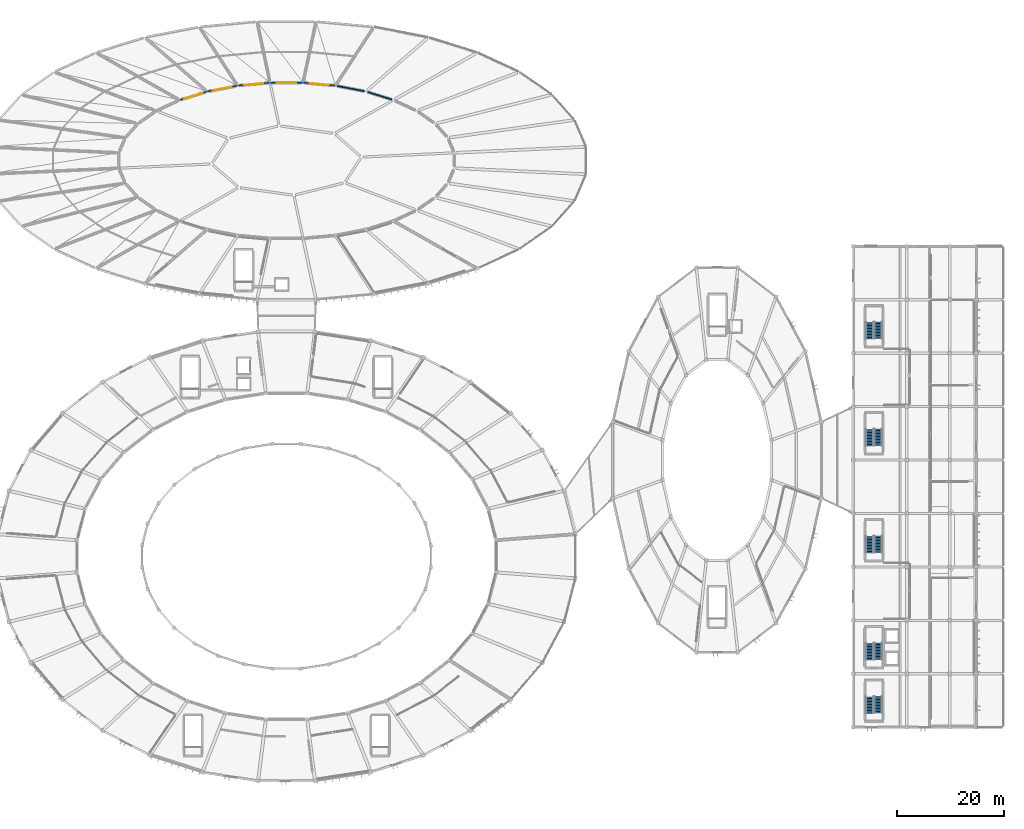
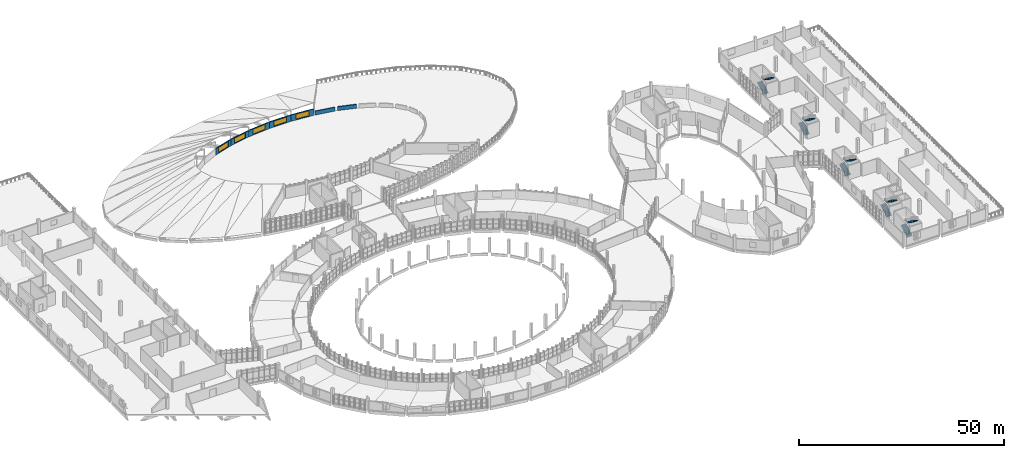
# One storey, part 107 of 142: 10 stair flights, 7 walls, 5 windows, 5 openings, 5 elements without a shape of their own.
"""IFC4 building model written with IfcOpenShell, lengths in metres."""

from ifc_helpers import new_model, si_unit, direction, frame, frame_2d, origin, place, context, subcontext, project, spatial, polyline, rectangle, outline, extrude, material, layer, layer_set, type_object, element, fill, aggregate, save


model = new_model("IFC4")

# Units and contexts
model_context = context("Model", 3, precision=1e-05, world=origin(), true_north=direction((0.0, 1.0)))
body_context = subcontext(model_context, "Body", "Model", "MODEL_VIEW")
ifc_project = project(units=[si_unit("LENGTHUNIT", "METRE"), si_unit("AREAUNIT", "SQUARE_METRE"), si_unit("VOLUMEUNIT", "CUBIC_METRE"), si_unit("PLANEANGLEUNIT", "RADIAN"), si_unit("MASSUNIT", "GRAM", prefix="KILO")], contexts=[model_context])

# Site, building, storey
site_placement = place(None, origin())
site = spatial("IfcSite", under=ifc_project, at=site_placement, CompositionType="ELEMENT")
building_placement = place(site_placement, origin())
building = spatial("IfcBuilding", under=site, at=building_placement, Name="Corvandel Quay Wholesale Market", CompositionType="ELEMENT")
storey_placement = place(building_placement, frame((0.0, 0.0, 10.800048828125)))
storey = spatial("IfcBuildingStorey", under=building, at=storey_placement, Name="L02", CompositionType="ELEMENT", Elevation=10.800048828125)

# Wall, opening, window
ifc_material_1 = material(Name="Terracotta precast concrete C45/55", Category="masonry")
ifc_layer_1 = layer(ifc_material_1, 0.260009765625)
ifc_layer_set_1 = layer_set([ifc_layer_1], Name="Terracotta precast concrete C45/55")
wall_type_1 = type_object("IfcWallType", Name="Pavilion Pilaster Infill Wall EW08 260", PredefinedType="SOLIDWALL", material=ifc_layer_set_1)
wall_1_placement = place(storey_placement, frame((123.14697265625, 130.0, 0.0), z_axis=(0.0, 0.0, 1.0), x_axis=(-0.995753558962, 0.092058947498, 0.0)))
wall_1 = element("IfcWall", 1, at=wall_1_placement, inside=storey, type_object=wall_type_1, Name="Exterior Wall EW-0103", PredefinedType="SOLIDWALL", context=body_context, shape_type="SweptSolid", body=[
    extrude(rectangle(XDim=6.083740234375, YDim=0.260009765625, at=frame_2d((3.0419921875, 0.0))), origin(), (0.0, 0.0, 1.0), 1.89990234375),
])
opening_1_placement = place(wall_1_placement, frame((1.241943359375, 0.0, 0.25)))
opening_1 = element("IfcOpeningElement", 2, at=opening_1_placement, cuts=wall_1, Name="Opening L02-W018", PredefinedType="OPENING", context=body_context, shape_type="SweptSolid", body=[
    extrude(rectangle(XDim=3.60009765625, YDim=1.5, at=frame_2d((1.800048828125, 0.75))), frame((0.0, 0.139892578125, 0.0), z_axis=(0.0, -1.0, 0.0), x_axis=(1.0, 0.0, 0.0)), (0.0, 0.0, 1.0), 0.280029296875),
])
ifc_material_2 = material(Name="Thermally broken bronze anodised aluminium and solar-control low-E double glazing", Category="aluminium")
window_type = type_object("IfcWindowType", Name="Sawtooth North-Light Clerestory SK01 3600x1500", PartitioningType="SINGLE_PANEL", PredefinedType="SKYLIGHT", material=ifc_material_2)
window_1_placement = place(opening_1_placement, origin())
window_1 = element("IfcWindow", 3, at=window_1_placement, inside=storey, type_object=window_type, Name="Window L02-W018", OverallHeight=1.5, OverallWidth=3.60009765625, PartitioningType="SINGLE_PANEL", PredefinedType="SKYLIGHT", context=body_context, shape_type="SweptSolid", body=[
    extrude(rectangle(XDim=3.60009765625, YDim=1.5, at=frame_2d((1.800048828125, 0.75))), frame((0.0, 0.030029296875, 0.0), z_axis=(0.0, -1.0, 0.0), x_axis=(1.0, 0.0, 0.0)), (0.0, 0.0, 1.0), 0.06005859375),
])
fill(opening_1, window_1)

wall_2_placement = place(storey_placement, frame((117.089111328125, 130.56005859375, 0.0), z_axis=(0.0, 0.0, 1.0), x_axis=(-1.0, 0.0, 0.0)))
wall_2 = element("IfcWall", 4, at=wall_2_placement, inside=storey, type_object=wall_type_1, Name="Exterior Wall EW-0105", PredefinedType="SOLIDWALL", context=body_context, shape_type="SweptSolid", body=[
    extrude(rectangle(XDim=6.17822265625, YDim=0.260009765625, at=frame_2d((3.089111328125, 0.0))), origin(), (0.0, 0.0, 1.0), 1.89990234375),
])
opening_2_placement = place(wall_2_placement, frame((1.2890625, 0.0, 0.25)))
opening_2 = element("IfcOpeningElement", 5, at=opening_2_placement, cuts=wall_2, Name="Opening L02-W019", PredefinedType="OPENING", context=body_context, shape_type="SweptSolid", body=[
    extrude(rectangle(XDim=3.60009765625, YDim=1.5, at=frame_2d((1.800048828125, 0.75))), frame((0.0, 0.139892578125, 0.0), z_axis=(0.0, -1.0, 0.0), x_axis=(1.0, 0.0, 0.0)), (0.0, 0.0, 1.0), 0.280029296875),
])
window_2_placement = place(opening_2_placement, origin())
window_2 = element("IfcWindow", 6, at=window_2_placement, inside=storey, type_object=window_type, Name="Window L02-W019", OverallHeight=1.5, OverallWidth=3.60009765625, PartitioningType="SINGLE_PANEL", PredefinedType="SKYLIGHT", context=body_context, shape_type="SweptSolid", body=[
    extrude(rectangle(XDim=3.60009765625, YDim=1.5, at=frame_2d((1.800048828125, 0.75))), frame((0.0, 0.030029296875, 0.0), z_axis=(0.0, -1.0, 0.0), x_axis=(1.0, 0.0, 0.0)), (0.0, 0.0, 1.0), 0.06005859375),
])
fill(opening_2, window_2)

wall_3_placement = place(storey_placement, frame((110.910888671875, 130.56005859375, 0.0), z_axis=(0.0, 0.0, 1.0), x_axis=(-0.995753558962, -0.092058947498, 0.0)))
wall_3 = element("IfcWall", 7, at=wall_3_placement, inside=storey, type_object=wall_type_1, Name="Exterior Wall EW-0107", PredefinedType="SOLIDWALL", context=body_context, shape_type="SweptSolid", body=[
    extrude(rectangle(XDim=6.083740234375, YDim=0.260009765625, at=frame_2d((3.0419921875, 0.0))), origin(), (0.0, 0.0, 1.0), 1.89990234375),
])
opening_3_placement = place(wall_3_placement, frame((1.241943359375, 0.0, 0.25)))
opening_3 = element("IfcOpeningElement", 8, at=opening_3_placement, cuts=wall_3, Name="Opening L02-W020", PredefinedType="OPENING", context=body_context, shape_type="SweptSolid", body=[
    extrude(rectangle(XDim=3.60009765625, YDim=1.5, at=frame_2d((1.800048828125, 0.75))), frame((0.0, 0.139892578125, 0.0), z_axis=(0.0, -1.0, 0.0), x_axis=(1.0, 0.0, 0.0)), (0.0, 0.0, 1.0), 0.280029296875),
])
window_3_placement = place(opening_3_placement, origin())
window_3 = element("IfcWindow", 9, at=window_3_placement, inside=storey, type_object=window_type, Name="Window L02-W020", OverallHeight=1.5, OverallWidth=3.60009765625, PartitioningType="SINGLE_PANEL", PredefinedType="SKYLIGHT", context=body_context, shape_type="SweptSolid", body=[
    extrude(rectangle(XDim=3.60009765625, YDim=1.5, at=frame_2d((1.800048828125, 0.75))), frame((0.0, 0.030029296875, 0.0), z_axis=(0.0, -1.0, 0.0), x_axis=(1.0, 0.0, 0.0)), (0.0, 0.0, 1.0), 0.06005859375),
])
fill(opening_3, window_3)

wall_4_placement = place(storey_placement, frame((104.85302734375, 130.0, 0.0), z_axis=(0.0, 0.0, 1.0), x_axis=(-0.982031005355, -0.188719645298, 0.0)))
wall_4 = element("IfcWall", 10, at=wall_4_placement, inside=storey, type_object=wall_type_1, Name="Exterior Wall EW-0109", PredefinedType="SOLIDWALL", context=body_context, shape_type="SweptSolid", body=[
    extrude(rectangle(XDim=5.8125, YDim=0.260009765625, at=frame_2d((2.90625, 0.0))), origin(), (0.0, 0.0, 1.0), 1.89990234375),
])
opening_4_placement = place(wall_4_placement, frame((1.10595703125, 0.0, 0.25)))
opening_4 = element("IfcOpeningElement", 11, at=opening_4_placement, cuts=wall_4, Name="Opening L02-W021", PredefinedType="OPENING", context=body_context, shape_type="SweptSolid", body=[
    extrude(rectangle(XDim=3.60009765625, YDim=1.5, at=frame_2d((1.800048828125, 0.75))), frame((0.0, 0.139892578125, 0.0), z_axis=(0.0, -1.0, 0.0), x_axis=(1.0, 0.0, 0.0)), (0.0, 0.0, 1.0), 0.280029296875),
])
window_4_placement = place(opening_4_placement, origin())
window_4 = element("IfcWindow", 12, at=window_4_placement, inside=storey, type_object=window_type, Name="Window L02-W021", OverallHeight=1.5, OverallWidth=3.60009765625, PartitioningType="SINGLE_PANEL", PredefinedType="SKYLIGHT", context=body_context, shape_type="SweptSolid", body=[
    extrude(rectangle(XDim=3.60009765625, YDim=1.5, at=frame_2d((1.800048828125, 0.75))), frame((0.0, 0.030029296875, 0.0), z_axis=(0.0, -1.0, 0.0), x_axis=(1.0, 0.0, 0.0)), (0.0, 0.0, 1.0), 0.06005859375),
])
fill(opening_4, window_4)

wall_5_placement = place(storey_placement, frame((99.14501953125, 128.903076171875, 0.0), z_axis=(0.0, 0.0, 1.0), x_axis=(-0.955060591478, -0.296410638483, 0.0)))
wall_5 = element("IfcWall", 13, at=wall_5_placement, inside=storey, type_object=wall_type_1, Name="Exterior Wall EW-0112", PredefinedType="SOLIDWALL", context=body_context, shape_type="SweptSolid", body=[
    extrude(rectangle(XDim=5.377685546875, YDim=0.260009765625, at=frame_2d((2.68896484375, 0.0))), origin(), (0.0, 0.0, 1.0), 1.89990234375),
])
opening_5_placement = place(wall_5_placement, frame((0.888916015625, 0.0, 0.25)))
opening_5 = element("IfcOpeningElement", 14, at=opening_5_placement, cuts=wall_5, Name="Opening L02-W022", PredefinedType="OPENING", context=body_context, shape_type="SweptSolid", body=[
    extrude(rectangle(XDim=3.60009765625, YDim=1.5, at=frame_2d((1.800048828125, 0.75))), frame((0.0, 0.139892578125, 0.0), z_axis=(0.0, -1.0, 0.0), x_axis=(1.0, 0.0, 0.0)), (0.0, 0.0, 1.0), 0.280029296875),
])
window_5_placement = place(opening_5_placement, origin())
window_5 = element("IfcWindow", 15, at=window_5_placement, inside=storey, type_object=window_type, Name="Window L02-W022", OverallHeight=1.5, OverallWidth=3.60009765625, PartitioningType="SINGLE_PANEL", PredefinedType="SKYLIGHT", context=body_context, shape_type="SweptSolid", body=[
    extrude(rectangle(XDim=3.60009765625, YDim=1.5, at=frame_2d((1.800048828125, 0.75))), frame((0.0, 0.030029296875, 0.0), z_axis=(0.0, -1.0, 0.0), x_axis=(1.0, 0.0, 0.0)), (0.0, 0.0, 1.0), 0.06005859375),
])
fill(opening_5, window_5)

# Walls
ifc_material_3 = material(Name="Buff-pigmented precast concrete C45/55", Category="concrete")
ifc_layer_2 = layer(ifc_material_3, 0.219970703125)
ifc_layer_set_2 = layer_set([ifc_layer_2], Name="Buff-pigmented precast concrete C45/55")
wall_type_2 = type_object("IfcWallType", Name="Terrace Edge Parapet Wall PP02 220", PredefinedType="PARAPET", material=ifc_layer_set_2)
wall_6_placement = place(storey_placement, frame((133.65673828125, 127.41259765625, 0.0), z_axis=(0.0, 0.0, 1.0), x_axis=(-0.955049361286, 0.296446820706, 0.0)))
element("IfcWall", 16, at=wall_6_placement, inside=storey, type_object=wall_type_2, Name="Exterior Wall EW-0099", PredefinedType="PARAPET", context=body_context, shape_type="SweptSolid", body=[
    extrude(rectangle(XDim=4.677734375, YDim=0.219970703125, at=frame_2d((2.3388671875, 0.0))), origin(), (0.0, 0.0, 1.0), 1.14990234375),
])
wall_7_placement = place(storey_placement, frame((128.51123046875, 128.968994140625, 0.0), z_axis=(0.0, 0.0, 1.0), x_axis=(-0.982029601692, 0.188726949323, 0.0)))
element("IfcWall", 17, at=wall_7_placement, inside=storey, type_object=wall_type_2, Name="Exterior Wall EW-0101", PredefinedType="PARAPET", context=body_context, shape_type="SweptSolid", body=[
    extrude(rectangle(XDim=5.1123046875, YDim=0.219970703125, at=frame_2d((2.55615234375, 0.0))), origin(), (0.0, 0.0, 1.0), 1.14990234375),
])

# Stair, stair flights
ifc_material_4 = material(Name="Concrete C40/50", Category="concrete")
stair_type = type_object("IfcStairType", Name="Exit Stair Two-Return L02-L03 ST03", PredefinedType="USERDEFINED", material=ifc_material_4)
stair_1_placement = place(storey_placement, origin())
stair_1 = element("IfcStair", 18, at=stair_1_placement, inside=storey, type_object=stair_type, Name="Exit Stair STR-028", ObjectType="TWO_RETURN_STAIR", PredefinedType="USERDEFINED")
ifc_layer_3 = layer(ifc_material_4, 0.199951171875)
ifc_layer_set_3 = layer_set([ifc_layer_3], Name="Concrete C40/50")
stair_flight_type = type_object("IfcStairFlightType", Name="Precast Stair Flight FL03 W1480", PredefinedType="STRAIGHT", material=ifc_layer_set_3)
stair_flight_1_placement = place(storey_placement, frame((223.050048828125, 22.64990234375, 0.0), z_axis=(0.0, 0.0, 1.0), x_axis=(0.0, 1.0, 0.0)))
stair_flight_1 = element("IfcStairFlight", 19, at=stair_flight_1_placement, type_object=stair_flight_type, Name="Stair Flight STR-028-F1", NumberOfRisers=12, NumberOfTreads=11, PredefinedType="STRAIGHT", RiserHeight=0.175, TreadLength=0.28, context=body_context, shape_type="SweptSolid", body=[
    extrude(outline(polyline([(0.0, 0.0), (0.0, 0.175048828125), (0.280029296875, 0.175048828125), (0.280029296875, 0.35009765625), (0.56005859375, 0.35009765625), (0.56005859375, 0.52490234375), (0.840087890625, 0.52490234375), (0.840087890625, 0.699951171875), (1.1201171875, 0.699951171875), (1.1201171875, 0.875), (1.39990234375, 0.875), (1.39990234375, 1.050048828125), (1.679931640625, 1.050048828125), (1.679931640625, 1.22509765625), (1.9599609375, 1.22509765625), (1.9599609375, 1.39990234375), (2.239990234375, 1.39990234375), (2.239990234375, 1.574951171875), (2.52001953125, 1.574951171875), (2.52001953125, 1.75), (2.800048828125, 1.75), (2.800048828125, 1.925048828125), (3.080078125, 1.925048828125), (3.080078125, 2.10009765625), (3.080078125, 1.748291015625), (0.28271484375, 0.0), (0.0, 0.0)])), frame((0.0, 0.739990234375, 0.0), z_axis=(0.0, -1.0, 0.0), x_axis=(1.0, 0.0, 0.0)), (0.0, 0.0, 1.0), 1.47998046875),
])
stair_flight_2_placement = place(storey_placement, frame((224.64990234375, 25.800048828125, 2.099853515625), z_axis=(0.0, 0.0, 1.0), x_axis=(0.0, -1.0, 0.0)))
stair_flight_2 = element("IfcStairFlight", 20, at=stair_flight_2_placement, type_object=stair_flight_type, Name="Stair Flight STR-028-F2", NumberOfRisers=12, NumberOfTreads=11, PredefinedType="STRAIGHT", RiserHeight=0.175, TreadLength=0.28, context=body_context, shape_type="SweptSolid", body=[
    extrude(outline(polyline([(0.0, 0.0), (0.0, 0.175048828125), (0.280029296875, 0.175048828125), (0.280029296875, 0.35009765625), (0.56005859375, 0.35009765625), (0.56005859375, 0.52490234375), (0.840087890625, 0.52490234375), (0.840087890625, 0.699951171875), (1.1201171875, 0.699951171875), (1.1201171875, 0.875), (1.39990234375, 0.875), (1.39990234375, 1.050048828125), (1.679931640625, 1.050048828125), (1.679931640625, 1.22509765625), (1.9599609375, 1.22509765625), (1.9599609375, 1.39990234375), (2.239990234375, 1.39990234375), (2.239990234375, 1.574951171875), (2.52001953125, 1.574951171875), (2.52001953125, 1.75), (2.800048828125, 1.75), (2.800048828125, 1.925048828125), (3.080078125, 1.925048828125), (3.080078125, 2.10009765625), (3.080078125, 1.748291015625), (0.28271484375, 0.0), (0.0, 0.0)])), frame((0.0, 0.739990234375, 0.0), z_axis=(0.0, -1.0, 0.0), x_axis=(1.0, 0.0, 0.0)), (0.0, 0.0, 1.0), 1.47998046875),
])
aggregate(stair_1, [stair_flight_1, stair_flight_2])

stair_2_placement = place(storey_placement, origin())
stair_2 = element("IfcStair", 21, at=stair_2_placement, inside=storey, type_object=stair_type, Name="Exit Stair STR-031", ObjectType="TWO_RETURN_STAIR", PredefinedType="USERDEFINED")
stair_flight_3_placement = place(storey_placement, frame((223.050048828125, 42.64990234375, 0.0), z_axis=(0.0, 0.0, 1.0), x_axis=(0.0, 1.0, 0.0)))
stair_flight_3 = element("IfcStairFlight", 22, at=stair_flight_3_placement, type_object=stair_flight_type, Name="Stair Flight STR-031-F1", NumberOfRisers=12, NumberOfTreads=11, PredefinedType="STRAIGHT", RiserHeight=0.175, TreadLength=0.28, context=body_context, shape_type="SweptSolid", body=[
    extrude(outline(polyline([(0.0, 0.0), (0.0, 0.175048828125), (0.280029296875, 0.175048828125), (0.280029296875, 0.35009765625), (0.56005859375, 0.35009765625), (0.56005859375, 0.52490234375), (0.840087890625, 0.52490234375), (0.840087890625, 0.699951171875), (1.1201171875, 0.699951171875), (1.1201171875, 0.875), (1.39990234375, 0.875), (1.39990234375, 1.050048828125), (1.679931640625, 1.050048828125), (1.679931640625, 1.22509765625), (1.9599609375, 1.22509765625), (1.9599609375, 1.39990234375), (2.239990234375, 1.39990234375), (2.239990234375, 1.574951171875), (2.52001953125, 1.574951171875), (2.52001953125, 1.75), (2.800048828125, 1.75), (2.800048828125, 1.925048828125), (3.080078125, 1.925048828125), (3.080078125, 2.10009765625), (3.080078125, 1.748291015625), (0.28271484375, 0.0), (0.0, 0.0)])), frame((0.0, 0.739990234375, 0.0), z_axis=(0.0, -1.0, 0.0), x_axis=(1.0, 0.0, 0.0)), (0.0, 0.0, 1.0), 1.47998046875),
])
stair_flight_4_placement = place(storey_placement, frame((224.64990234375, 45.800048828125, 2.099853515625), z_axis=(0.0, 0.0, 1.0), x_axis=(0.0, -1.0, 0.0)))
stair_flight_4 = element("IfcStairFlight", 23, at=stair_flight_4_placement, type_object=stair_flight_type, Name="Stair Flight STR-031-F2", NumberOfRisers=12, NumberOfTreads=11, PredefinedType="STRAIGHT", RiserHeight=0.175, TreadLength=0.28, context=body_context, shape_type="SweptSolid", body=[
    extrude(outline(polyline([(0.0, 0.0), (0.0, 0.175048828125), (0.280029296875, 0.175048828125), (0.280029296875, 0.35009765625), (0.56005859375, 0.35009765625), (0.56005859375, 0.52490234375), (0.840087890625, 0.52490234375), (0.840087890625, 0.699951171875), (1.1201171875, 0.699951171875), (1.1201171875, 0.875), (1.39990234375, 0.875), (1.39990234375, 1.050048828125), (1.679931640625, 1.050048828125), (1.679931640625, 1.22509765625), (1.9599609375, 1.22509765625), (1.9599609375, 1.39990234375), (2.239990234375, 1.39990234375), (2.239990234375, 1.574951171875), (2.52001953125, 1.574951171875), (2.52001953125, 1.75), (2.800048828125, 1.75), (2.800048828125, 1.925048828125), (3.080078125, 1.925048828125), (3.080078125, 2.10009765625), (3.080078125, 1.748291015625), (0.28271484375, 0.0), (0.0, 0.0)])), frame((0.0, 0.739990234375, 0.0), z_axis=(0.0, -1.0, 0.0), x_axis=(1.0, 0.0, 0.0)), (0.0, 0.0, 1.0), 1.47998046875),
])
aggregate(stair_2, [stair_flight_3, stair_flight_4])

stair_3_placement = place(storey_placement, origin())
stair_3 = element("IfcStair", 24, at=stair_3_placement, inside=storey, type_object=stair_type, Name="Exit Stair STR-034", ObjectType="TWO_RETURN_STAIR", PredefinedType="USERDEFINED")
stair_flight_5_placement = place(storey_placement, frame((223.050048828125, 62.64990234375, 0.0), z_axis=(0.0, 0.0, 1.0), x_axis=(0.0, 1.0, 0.0)))
stair_flight_5 = element("IfcStairFlight", 25, at=stair_flight_5_placement, type_object=stair_flight_type, Name="Stair Flight STR-034-F1", NumberOfRisers=12, NumberOfTreads=11, PredefinedType="STRAIGHT", RiserHeight=0.175, TreadLength=0.28, context=body_context, shape_type="SweptSolid", body=[
    extrude(outline(polyline([(0.0, 0.0), (0.0, 0.175048828125), (0.280029296875, 0.175048828125), (0.280029296875, 0.35009765625), (0.56005859375, 0.35009765625), (0.56005859375, 0.52490234375), (0.840087890625, 0.52490234375), (0.840087890625, 0.699951171875), (1.1201171875, 0.699951171875), (1.1201171875, 0.875), (1.39990234375, 0.875), (1.39990234375, 1.050048828125), (1.679931640625, 1.050048828125), (1.679931640625, 1.22509765625), (1.9599609375, 1.22509765625), (1.9599609375, 1.39990234375), (2.239990234375, 1.39990234375), (2.239990234375, 1.574951171875), (2.52001953125, 1.574951171875), (2.52001953125, 1.75), (2.800048828125, 1.75), (2.800048828125, 1.925048828125), (3.080078125, 1.925048828125), (3.080078125, 2.10009765625), (3.080078125, 1.748291015625), (0.28271484375, 0.0), (0.0, 0.0)])), frame((0.0, 0.739990234375, 0.0), z_axis=(0.0, -1.0, 0.0), x_axis=(1.0, 0.0, 0.0)), (0.0, 0.0, 1.0), 1.47998046875),
])
stair_flight_6_placement = place(storey_placement, frame((224.64990234375, 65.800048828125, 2.099853515625), z_axis=(0.0, 0.0, 1.0), x_axis=(0.0, -1.0, 0.0)))
stair_flight_6 = element("IfcStairFlight", 26, at=stair_flight_6_placement, type_object=stair_flight_type, Name="Stair Flight STR-034-F2", NumberOfRisers=12, NumberOfTreads=11, PredefinedType="STRAIGHT", RiserHeight=0.175, TreadLength=0.28, context=body_context, shape_type="SweptSolid", body=[
    extrude(outline(polyline([(0.0, 0.0), (0.0, 0.175048828125), (0.280029296875, 0.175048828125), (0.280029296875, 0.35009765625), (0.56005859375, 0.35009765625), (0.56005859375, 0.52490234375), (0.840087890625, 0.52490234375), (0.840087890625, 0.699951171875), (1.1201171875, 0.699951171875), (1.1201171875, 0.875), (1.39990234375, 0.875), (1.39990234375, 1.050048828125), (1.679931640625, 1.050048828125), (1.679931640625, 1.22509765625), (1.9599609375, 1.22509765625), (1.9599609375, 1.39990234375), (2.239990234375, 1.39990234375), (2.239990234375, 1.574951171875), (2.52001953125, 1.574951171875), (2.52001953125, 1.75), (2.800048828125, 1.75), (2.800048828125, 1.925048828125), (3.080078125, 1.925048828125), (3.080078125, 2.10009765625), (3.080078125, 1.748291015625), (0.28271484375, 0.0), (0.0, 0.0)])), frame((0.0, 0.739990234375, 0.0), z_axis=(0.0, -1.0, 0.0), x_axis=(1.0, 0.0, 0.0)), (0.0, 0.0, 1.0), 1.47998046875),
])
aggregate(stair_3, [stair_flight_5, stair_flight_6])

stair_4_placement = place(storey_placement, origin())
stair_4 = element("IfcStair", 27, at=stair_4_placement, inside=storey, type_object=stair_type, Name="Exit Stair STR-037", ObjectType="TWO_RETURN_STAIR", PredefinedType="USERDEFINED")
stair_flight_7_placement = place(storey_placement, frame((223.050048828125, 12.64990234375, 0.0), z_axis=(0.0, 0.0, 1.0), x_axis=(0.0, 1.0, 0.0)))
stair_flight_7 = element("IfcStairFlight", 28, at=stair_flight_7_placement, type_object=stair_flight_type, Name="Stair Flight STR-037-F1", NumberOfRisers=12, NumberOfTreads=11, PredefinedType="STRAIGHT", RiserHeight=0.175, TreadLength=0.28, context=body_context, shape_type="SweptSolid", body=[
    extrude(outline(polyline([(0.0, 0.0), (0.0, 0.175048828125), (0.280029296875, 0.175048828125), (0.280029296875, 0.35009765625), (0.56005859375, 0.35009765625), (0.56005859375, 0.52490234375), (0.840087890625, 0.52490234375), (0.840087890625, 0.699951171875), (1.1201171875, 0.699951171875), (1.1201171875, 0.875), (1.39990234375, 0.875), (1.39990234375, 1.050048828125), (1.679931640625, 1.050048828125), (1.679931640625, 1.22509765625), (1.9599609375, 1.22509765625), (1.9599609375, 1.39990234375), (2.239990234375, 1.39990234375), (2.239990234375, 1.574951171875), (2.52001953125, 1.574951171875), (2.52001953125, 1.75), (2.800048828125, 1.75), (2.800048828125, 1.925048828125), (3.080078125, 1.925048828125), (3.080078125, 2.10009765625), (3.080078125, 1.748291015625), (0.28271484375, 0.0), (0.0, 0.0)])), frame((0.0, 0.739990234375, 0.0), z_axis=(0.0, -1.0, 0.0), x_axis=(1.0, 0.0, 0.0)), (0.0, 0.0, 1.0), 1.47998046875),
])
stair_flight_8_placement = place(storey_placement, frame((224.64990234375, 15.800048828125, 2.099853515625), z_axis=(0.0, 0.0, 1.0), x_axis=(0.0, -1.0, 0.0)))
stair_flight_8 = element("IfcStairFlight", 29, at=stair_flight_8_placement, type_object=stair_flight_type, Name="Stair Flight STR-037-F2", NumberOfRisers=12, NumberOfTreads=11, PredefinedType="STRAIGHT", RiserHeight=0.175, TreadLength=0.28, context=body_context, shape_type="SweptSolid", body=[
    extrude(outline(polyline([(0.0, 0.0), (0.0, 0.175048828125), (0.280029296875, 0.175048828125), (0.280029296875, 0.35009765625), (0.56005859375, 0.35009765625), (0.56005859375, 0.52490234375), (0.840087890625, 0.52490234375), (0.840087890625, 0.699951171875), (1.1201171875, 0.699951171875), (1.1201171875, 0.875), (1.39990234375, 0.875), (1.39990234375, 1.050048828125), (1.679931640625, 1.050048828125), (1.679931640625, 1.22509765625), (1.9599609375, 1.22509765625), (1.9599609375, 1.39990234375), (2.239990234375, 1.39990234375), (2.239990234375, 1.574951171875), (2.52001953125, 1.574951171875), (2.52001953125, 1.75), (2.800048828125, 1.75), (2.800048828125, 1.925048828125), (3.080078125, 1.925048828125), (3.080078125, 2.10009765625), (3.080078125, 1.748291015625), (0.28271484375, 0.0), (0.0, 0.0)])), frame((0.0, 0.739990234375, 0.0), z_axis=(0.0, -1.0, 0.0), x_axis=(1.0, 0.0, 0.0)), (0.0, 0.0, 1.0), 1.47998046875),
])
aggregate(stair_4, [stair_flight_7, stair_flight_8])

stair_5_placement = place(storey_placement, origin())
stair_5 = element("IfcStair", 30, at=stair_5_placement, inside=storey, type_object=stair_type, Name="Exit Stair STR-040", ObjectType="TWO_RETURN_STAIR", PredefinedType="USERDEFINED")
stair_flight_9_placement = place(storey_placement, frame((223.050048828125, 82.64990234375, 0.0), z_axis=(0.0, 0.0, 1.0), x_axis=(0.0, 1.0, 0.0)))
stair_flight_9 = element("IfcStairFlight", 31, at=stair_flight_9_placement, type_object=stair_flight_type, Name="Stair Flight STR-040-F1", NumberOfRisers=12, NumberOfTreads=11, PredefinedType="STRAIGHT", RiserHeight=0.175, TreadLength=0.28, context=body_context, shape_type="SweptSolid", body=[
    extrude(outline(polyline([(0.0, 0.0), (0.0, 0.175048828125), (0.280029296875, 0.175048828125), (0.280029296875, 0.35009765625), (0.56005859375, 0.35009765625), (0.56005859375, 0.52490234375), (0.840087890625, 0.52490234375), (0.840087890625, 0.699951171875), (1.1201171875, 0.699951171875), (1.1201171875, 0.875), (1.39990234375, 0.875), (1.39990234375, 1.050048828125), (1.679931640625, 1.050048828125), (1.679931640625, 1.22509765625), (1.9599609375, 1.22509765625), (1.9599609375, 1.39990234375), (2.239990234375, 1.39990234375), (2.239990234375, 1.574951171875), (2.52001953125, 1.574951171875), (2.52001953125, 1.75), (2.800048828125, 1.75), (2.800048828125, 1.925048828125), (3.080078125, 1.925048828125), (3.080078125, 2.10009765625), (3.080078125, 1.748291015625), (0.28271484375, 0.0), (0.0, 0.0)])), frame((0.0, 0.739990234375, 0.0), z_axis=(0.0, -1.0, 0.0), x_axis=(1.0, 0.0, 0.0)), (0.0, 0.0, 1.0), 1.47998046875),
])
stair_flight_10_placement = place(storey_placement, frame((224.64990234375, 85.800048828125, 2.099853515625), z_axis=(0.0, 0.0, 1.0), x_axis=(0.0, -1.0, 0.0)))
stair_flight_10 = element("IfcStairFlight", 32, at=stair_flight_10_placement, type_object=stair_flight_type, Name="Stair Flight STR-040-F2", NumberOfRisers=12, NumberOfTreads=11, PredefinedType="STRAIGHT", RiserHeight=0.175, TreadLength=0.28, context=body_context, shape_type="SweptSolid", body=[
    extrude(outline(polyline([(0.0, 0.0), (0.0, 0.175048828125), (0.280029296875, 0.175048828125), (0.280029296875, 0.35009765625), (0.56005859375, 0.35009765625), (0.56005859375, 0.52490234375), (0.840087890625, 0.52490234375), (0.840087890625, 0.699951171875), (1.1201171875, 0.699951171875), (1.1201171875, 0.875), (1.39990234375, 0.875), (1.39990234375, 1.050048828125), (1.679931640625, 1.050048828125), (1.679931640625, 1.22509765625), (1.9599609375, 1.22509765625), (1.9599609375, 1.39990234375), (2.239990234375, 1.39990234375), (2.239990234375, 1.574951171875), (2.52001953125, 1.574951171875), (2.52001953125, 1.75), (2.800048828125, 1.75), (2.800048828125, 1.925048828125), (3.080078125, 1.925048828125), (3.080078125, 2.10009765625), (3.080078125, 1.748291015625), (0.28271484375, 0.0), (0.0, 0.0)])), frame((0.0, 0.739990234375, 0.0), z_axis=(0.0, -1.0, 0.0), x_axis=(1.0, 0.0, 0.0)), (0.0, 0.0, 1.0), 1.47998046875),
])
aggregate(stair_5, [stair_flight_9, stair_flight_10])

save(model, "model.ifc")
